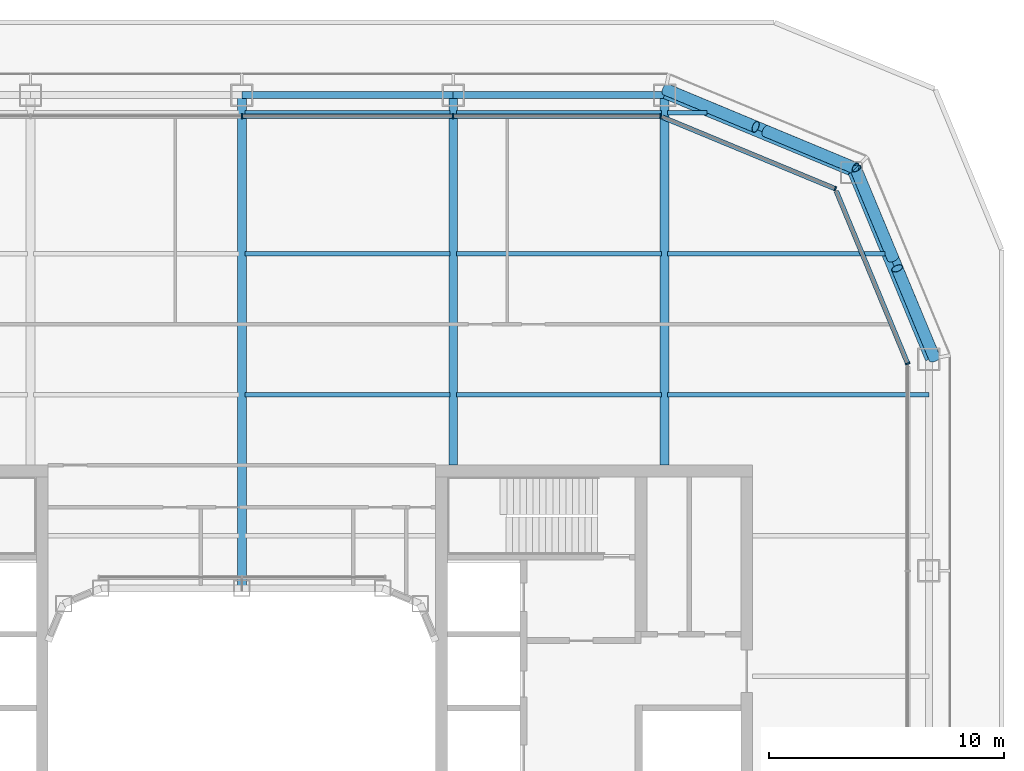
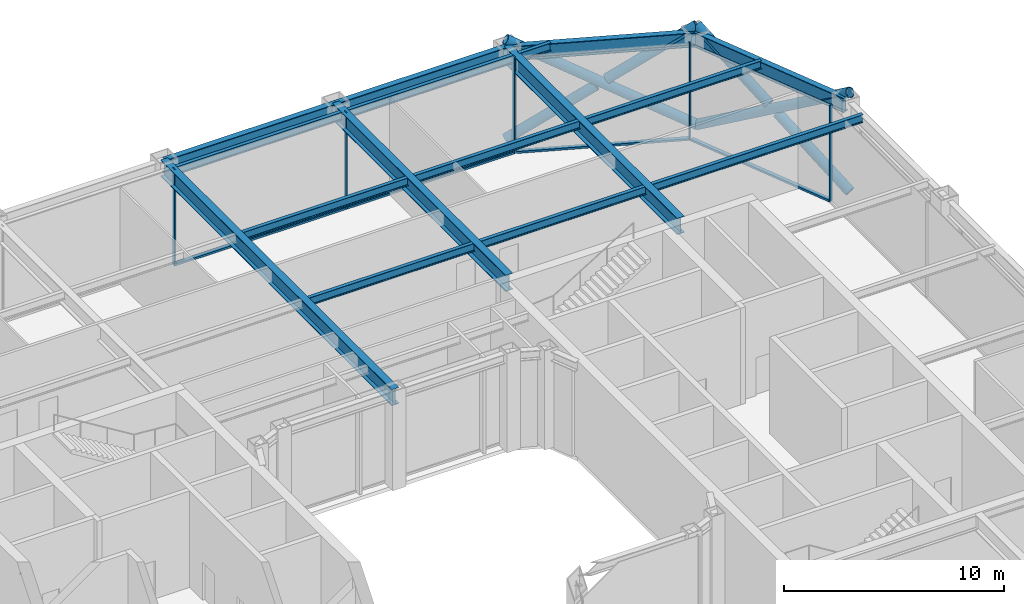
# One storey, part 9 of 21: 16 beams, 15 members, 3 elements without a shape of their own.
"""IFC4 building model written with IfcOpenShell, lengths in metres."""

from ifc_helpers import new_model, si_unit, direction, frame, origin, origin_2d, place, context, subcontext, project, spatial, rectangle, hollow_circle, i_section, extrude, material, layer, layer_set, material_profile, profile_set, type_object, element, aggregate, save


model = new_model("IFC4")

# Units and contexts
model_context = context("Model", 3, precision=1e-05, world=origin(), true_north=direction((0.0, 1.0)))
body_context = subcontext(model_context, "Body", "Model", "MODEL_VIEW")
ifc_project = project(units=[si_unit("LENGTHUNIT", "METRE"), si_unit("AREAUNIT", "SQUARE_METRE"), si_unit("VOLUMEUNIT", "CUBIC_METRE"), si_unit("PLANEANGLEUNIT", "RADIAN"), si_unit("MASSUNIT", "GRAM", prefix="KILO")], contexts=[model_context])

# Site, building, storey
site_placement = place(None, origin())
site = spatial("IfcSite", under=ifc_project, at=site_placement, CompositionType="ELEMENT")
building_placement = place(site_placement, origin())
building = spatial("IfcBuilding", under=site, at=building_placement, Name="Siwar Civic Tower", CompositionType="ELEMENT")
storey_placement = place(building_placement, frame((0.0, 0.0, 99.199951171875)))
storey = spatial("IfcBuildingStorey", under=building, at=storey_placement, Name="L21", CompositionType="ELEMENT", Elevation=99.199951171875)

# Curtain wall, member
ifc_material_1 = material(Name="Aluminium clad insulated panel", Category="aluminium")
ifc_layer_1 = layer(ifc_material_1, 0.199951171875)
ifc_layer_set_1 = layer_set([ifc_layer_1], Name="Aluminium clad insulated panel")
curtain_wall_type_1 = type_object("IfcCurtainWallType", Name="ENV-CW-BX", PredefinedType="NOTDEFINED", material=ifc_layer_set_1)
curtain_wall_1_placement = place(storey_placement, origin())
curtain_wall_1 = element("IfcCurtainWall", 1, at=curtain_wall_1_placement, inside=storey, type_object=curtain_wall_type_1, Name="Curtain wall B NE1", PredefinedType="NOTDEFINED")
ifc_material_2 = material(Name="Aluminium 6063-T6", Category="aluminium")
ifc_material_profile_1 = material_profile(ifc_material_2, rectangle(XDim=0.199951171875, YDim=0.06494140625, at=origin_2d()), Name="AL 200x65")
ifc_profile_set_1 = profile_set([ifc_material_profile_1], Name="Aluminium 6063-T6")
member_type_1 = type_object("IfcMemberType", Name="ENV-MULLION-B", PredefinedType="MULLION", material=ifc_profile_set_1)
member_1_placement = place(storey_placement, frame((28.35009765625, 17.821044921875, 0.0), z_axis=(0.0, 0.0, 1.0), x_axis=(-0.923879532511, -0.382683432365, 0.0)))
member_1 = element("IfcMember", 2, at=member_1_placement, type_object=member_type_1, Name="Mullion B NE1 1", PredefinedType="MULLION", context=body_context, shape_type="SweptSolid", body=[
    extrude(rectangle(XDim=0.199951171875, YDim=0.06494140625, at=origin_2d()), origin(), (0.0, 0.0, 1.0), 5.35009765625),
])

curtain_wall_2_placement = place(storey_placement, origin())
curtain_wall_2 = element("IfcCurtainWall", 3, at=curtain_wall_2_placement, inside=storey, type_object=curtain_wall_type_1, Name="Curtain wall B NE2", PredefinedType="NOTDEFINED")
member_2_placement = place(storey_placement, frame((25.26611328125, 25.26611328125, 0.0), z_axis=(0.0, 0.0, 1.0), x_axis=(-0.382683432365, -0.923879532511, 0.0)))
member_2 = element("IfcMember", 4, at=member_2_placement, type_object=member_type_1, Name="Mullion B NE2 1", PredefinedType="MULLION", context=body_context, shape_type="SweptSolid", body=[
    extrude(rectangle(XDim=0.199951171875, YDim=0.06494140625, at=origin_2d()), origin(), (0.0, 0.0, 1.0), 5.35009765625),
])

# Curtain wall, members
ifc_material_3 = material(Name="Aluminium and glass", Category="aluminium")
ifc_layer_2 = layer(ifc_material_3, 0.199951171875)
ifc_layer_set_2 = layer_set([ifc_layer_2], Name="Aluminium and glass")
curtain_wall_type_2 = type_object("IfcCurtainWallType", Name="ENV-CW-B", PredefinedType="NOTDEFINED", material=ifc_layer_set_2)
curtain_wall_3_placement = place(storey_placement, origin())
curtain_wall_3 = element("IfcCurtainWall", 5, at=curtain_wall_3_placement, inside=storey, type_object=curtain_wall_type_2, Name="Curtain wall B N", PredefinedType="NOTDEFINED")
member_3_placement = place(storey_placement, frame((17.821044921875, 28.35009765625, 0.0), z_axis=(0.0, 0.0, 1.0), x_axis=(0.0, -1.0, 0.0)))
member_3 = element("IfcMember", 6, at=member_3_placement, type_object=member_type_1, Name="Mullion B N 1", PredefinedType="MULLION", context=body_context, shape_type="SweptSolid", body=[
    extrude(rectangle(XDim=0.199951171875, YDim=0.06494140625, at=origin_2d()), origin(), (0.0, 0.0, 1.0), 5.35009765625),
])
member_4_placement = place(storey_placement, frame((9.0, 28.35009765625, 0.0), z_axis=(0.0, 0.0, 1.0), x_axis=(0.0, -1.0, 0.0)))
member_4 = element("IfcMember", 7, at=member_4_placement, type_object=member_type_1, Name="Mullion B N 2", PredefinedType="MULLION", context=body_context, shape_type="SweptSolid", body=[
    extrude(rectangle(XDim=0.199951171875, YDim=0.06494140625, at=origin_2d()), origin(), (0.0, 0.0, 1.0), 5.35009765625),
])
member_5_placement = place(storey_placement, frame((0.0, 28.35009765625, 0.0), z_axis=(0.0, 0.0, 1.0), x_axis=(0.0, -1.0, 0.0)))
member_5 = element("IfcMember", 8, at=member_5_placement, type_object=member_type_1, Name="Mullion B N 3", PredefinedType="MULLION", context=body_context, shape_type="SweptSolid", body=[
    extrude(rectangle(XDim=0.199951171875, YDim=0.06494140625, at=origin_2d()), origin(), (0.0, 0.0, 1.0), 5.35009765625),
])

# Member
ifc_material_4 = material(Name="Aluminium 6063-T6", Category="aluminium")
ifc_material_profile_2 = material_profile(ifc_material_4, rectangle(XDim=0.199951171875, YDim=0.110107421875, at=origin_2d()), Name="AL 200x110")
ifc_profile_set_2 = profile_set([ifc_material_profile_2], Name="Aluminium 6063-T6")
member_type_2 = type_object("IfcMemberType", Name="ENV-TRANSOM-B", PredefinedType="USERDEFINED", material=ifc_profile_set_2)
member_6_placement = place(storey_placement, frame((28.337646484375, 17.85107421875, 0.054931640625), z_axis=(-0.382699695651, 0.92387279587, 0.0), x_axis=(-0.92387279587, -0.382699695651, 0.0)))
member_6 = element("IfcMember", 9, at=member_6_placement, type_object=member_type_2, Name="Transom B NE1 1", ObjectType="TRANSOM", PredefinedType="USERDEFINED", context=body_context, shape_type="SweptSolid", body=[
    extrude(rectangle(XDim=0.199951171875, YDim=0.110107421875, at=origin_2d()), origin(), (0.0, 0.0, 1.0), 7.912353515625),
])

aggregate(curtain_wall_1, [member_1, member_6])

member_7_placement = place(storey_placement, frame((25.236083984375, 25.278564453125, 0.054931640625), z_axis=(-0.923883705044, 0.382673358825, 0.0), x_axis=(-0.382673358825, -0.923883705044, 0.0)))
member_7 = element("IfcMember", 10, at=member_7_placement, type_object=member_type_2, Name="Transom B NE2 1", ObjectType="TRANSOM", PredefinedType="USERDEFINED", context=body_context, shape_type="SweptSolid", body=[
    extrude(rectangle(XDim=0.199951171875, YDim=0.110107421875, at=origin_2d()), origin(), (0.0, 0.0, 1.0), 7.912353515625),
])

aggregate(curtain_wall_2, [member_2, member_7])

member_8_placement = place(storey_placement, frame((17.78857421875, 28.35009765625, 0.054931640625), z_axis=(-1.0, 0.0, 0.0), x_axis=(0.0, -1.0, 0.0)))
member_8 = element("IfcMember", 11, at=member_8_placement, type_object=member_type_2, Name="Transom B N 1", ObjectType="TRANSOM", PredefinedType="USERDEFINED", context=body_context, shape_type="SweptSolid", body=[
    extrude(rectangle(XDim=0.199951171875, YDim=0.110107421875, at=origin_2d()), origin(), (0.0, 0.0, 1.0), 8.756103515625),
])

member_9_placement = place(storey_placement, frame((8.967529296875, 28.35009765625, 0.054931640625), z_axis=(-1.0, 0.0, 0.0), x_axis=(0.0, -1.0, 0.0)))
member_9 = element("IfcMember", 12, at=member_9_placement, type_object=member_type_2, Name="Transom B N 2", ObjectType="TRANSOM", PredefinedType="USERDEFINED", context=body_context, shape_type="SweptSolid", body=[
    extrude(rectangle(XDim=0.199951171875, YDim=0.110107421875, at=origin_2d()), origin(), (0.0, 0.0, 1.0), 8.93505859375),
])

aggregate(curtain_wall_3, [member_3, member_4, member_5, member_8, member_9])

# Members
ifc_material_5 = material(Name="Steel S355", Category="steel")
ifc_material_profile_3 = material_profile(ifc_material_5, hollow_circle(Radius=0.25390625, WallThickness=0.02490234375, at=origin_2d()), Name="CHS508x25")
ifc_profile_set_3 = profile_set([ifc_material_profile_3], Name="Steel S355")
member_type_3 = type_object("IfcMemberType", Name="STR-BR-CHS508x25", PredefinedType="BRACE", material=ifc_profile_set_3)
member_10_placement = place(storey_placement, frame((26.1318359375, 26.1318359375, 0.0), z_axis=(-0.781791416726, 0.325297769627, 0.531961974025), x_axis=(-0.384163874976, -0.923264922524, 0.0)))
element("IfcMember", 13, at=member_10_placement, inside=storey, type_object=member_type_3, Name="L21/brc/BNE1-0-0-1", PredefinedType="BRACE", context=body_context, shape_type="SweptSolid", body=[
    extrude(hollow_circle(Radius=0.25390625, WallThickness=0.02490234375, at=origin_2d()), origin(), (0.0, 0.0, 1.0), 10.339111328125),
])
for number, where, z_axis, x_axis, name in (
    (14, (18.048828125, 29.4951171875, 0.0), (0.781779058125, -0.325296334966, 0.53198101351), (0.384167607428, 0.923263369469, 0.0), "L21/brc/BNE1-0-0-2"),
    (15, (22.306640625, 27.723388671875, 2.8974609375), (0.781819210705, -0.32529227946, 0.531924482136), (0.38414670655, 0.923272065995, 0.0), "L21/brc/BNE1-0-0-3"),
):
    element("IfcMember", number, at=place(storey_placement, frame(where, z_axis=z_axis, x_axis=x_axis)), inside=storey, type_object=member_type_3, Name=name, PredefinedType="BRACE", context=body_context, shape_type="SweptSolid", body=[
        extrude(hollow_circle(Radius=0.25390625, WallThickness=0.02490234375, at=origin_2d()), origin(), (0.0, 0.0, 1.0), 4.892578125),
    ])
member_11_placement = place(storey_placement, frame((26.1318359375, 26.1318359375, 0.0), z_axis=(0.325297769627, -0.781791416726, 0.531961974025), x_axis=(0.923264922524, 0.384163874976, 0.0)))
element("IfcMember", 16, at=member_11_placement, inside=storey, type_object=member_type_3, Name="L21/brc/BNE1-0-0-0", PredefinedType="BRACE", context=body_context, shape_type="SweptSolid", body=[
    extrude(hollow_circle(Radius=0.25390625, WallThickness=0.02490234375, at=origin_2d()), origin(), (0.0, 0.0, 1.0), 10.339111328125),
])
for number, where, z_axis, x_axis, name in (
    (17, (29.4951171875, 18.048828125, 0.0), (-0.325296334966, 0.781779058125, 0.53198101351), (-0.923263369469, -0.384167607428, 0.0), "L21/brc/BNE1-0-0-4"),
    (18, (27.723388671875, 22.306640625, 2.8974609375), (-0.32529227946, 0.781819210705, 0.531924482136), (-0.923272065995, -0.38414670655, 0.0), "L21/brc/BNE1-0-0-5"),
):
    element("IfcMember", number, at=place(storey_placement, frame(where, z_axis=z_axis, x_axis=x_axis)), inside=storey, type_object=member_type_3, Name=name, PredefinedType="BRACE", context=body_context, shape_type="SweptSolid", body=[
        extrude(hollow_circle(Radius=0.25390625, WallThickness=0.02490234375, at=origin_2d()), origin(), (0.0, 0.0, 1.0), 4.892578125),
    ])

# Beams
ifc_material_6 = material(Name="Steel S355", Category="steel")
ifc_material_profile_4 = material_profile(ifc_material_6, i_section(OverallWidth=0.18994140625, OverallDepth=0.449951171875, WebThickness=0.009521484375, FlangeThickness=0.0146484375, FilletRadius=0.02099609375, at=origin_2d()), Name="IPE450")
ifc_profile_set_4 = profile_set([ifc_material_profile_4], Name="Steel S355")
beam_type_1 = type_object("IfcBeamType", Name="STR-FB-IPE450", PredefinedType="JOIST", material=ifc_profile_set_4)
for number, where, z_axis, x_axis, name in (
    (19, (0.1298828125, 16.5, 5.125), (1.0, 0.0, 0.0), (0.0, 1.0, 0.0), "L21/bm/F034"),
    (20, (9.1298828125, 16.5, 5.125), (1.0, 0.0, 0.0), (0.0, 1.0, 0.0), "L21/bm/F035"),
):
    element("IfcBeam", number, at=place(storey_placement, frame(where, z_axis=z_axis, x_axis=x_axis)), inside=storey, type_object=beam_type_1, Name=name, PredefinedType="JOIST", context=body_context, shape_type="SweptSolid", body=[
        extrude(i_section(OverallWidth=0.18994140625, OverallDepth=0.449951171875, WebThickness=0.009521484375, FlangeThickness=0.0146484375, FilletRadius=0.02099609375, at=origin_2d()), origin(), (0.0, 0.0, 1.0), 8.740234375),
    ])
beam_1_placement = place(storey_placement, frame((18.1298828125, 16.5, 5.125), z_axis=(1.0, 0.0, 0.0), x_axis=(0.0, 1.0, 0.0)))
element("IfcBeam", 21, at=beam_1_placement, inside=storey, type_object=beam_type_1, Name="L21/bm/F036", PredefinedType="JOIST", context=body_context, shape_type="SweptSolid", body=[
    extrude(i_section(OverallWidth=0.18994140625, OverallDepth=0.449951171875, WebThickness=0.009521484375, FlangeThickness=0.0146484375, FilletRadius=0.02099609375, at=origin_2d()), origin(), (0.0, 0.0, 1.0), 11.1201171875),
])
for number, where, z_axis, x_axis, name in (
    (22, (0.1298828125, 22.5, 5.125), (1.0, 0.0, 0.0), (0.0, 1.0, 0.0), "L21/bm/F040"),
    (23, (9.1298828125, 22.5, 5.125), (1.0, 0.0, 0.0), (0.0, 1.0, 0.0), "L21/bm/F041"),
):
    element("IfcBeam", number, at=place(storey_placement, frame(where, z_axis=z_axis, x_axis=x_axis)), inside=storey, type_object=beam_type_1, Name=name, PredefinedType="JOIST", context=body_context, shape_type="SweptSolid", body=[
        extrude(i_section(OverallWidth=0.18994140625, OverallDepth=0.449951171875, WebThickness=0.009521484375, FlangeThickness=0.0146484375, FilletRadius=0.02099609375, at=origin_2d()), origin(), (0.0, 0.0, 1.0), 8.740234375),
    ])
beam_2_placement = place(storey_placement, frame((18.1298828125, 22.5, 5.125), z_axis=(1.0, 0.0, 0.0), x_axis=(0.0, 1.0, 0.0)))
element("IfcBeam", 24, at=beam_2_placement, inside=storey, type_object=beam_type_1, Name="L21/bm/F042", PredefinedType="JOIST", context=body_context, shape_type="SweptSolid", body=[
    extrude(i_section(OverallWidth=0.18994140625, OverallDepth=0.449951171875, WebThickness=0.009521484375, FlangeThickness=0.0146484375, FilletRadius=0.02099609375, at=origin_2d()), origin(), (0.0, 0.0, 1.0), 9.256103515625),
])
for number, where, z_axis, x_axis, name in (
    (25, (0.1298828125, 28.5, 5.125), (1.0, 0.0, 0.0), (0.0, 1.0, 0.0), "L21/bm/F046"),
    (26, (9.1298828125, 28.5, 5.125), (1.0, 0.0, 0.0), (0.0, 1.0, 0.0), "L21/bm/F047"),
):
    element("IfcBeam", number, at=place(storey_placement, frame(where, z_axis=z_axis, x_axis=x_axis)), inside=storey, type_object=beam_type_1, Name=name, PredefinedType="JOIST", context=body_context, shape_type="SweptSolid", body=[
        extrude(i_section(OverallWidth=0.18994140625, OverallDepth=0.449951171875, WebThickness=0.009521484375, FlangeThickness=0.0146484375, FilletRadius=0.02099609375, at=origin_2d()), origin(), (0.0, 0.0, 1.0), 8.740234375),
    ])
beam_3_placement = place(storey_placement, frame((18.1298828125, 28.5, 5.125), z_axis=(1.0, 0.0, 0.0), x_axis=(0.0, 1.0, 0.0)))
element("IfcBeam", 27, at=beam_3_placement, inside=storey, type_object=beam_type_1, Name="L21/bm/F048", PredefinedType="JOIST", context=body_context, shape_type="SweptSolid", body=[
    extrude(i_section(OverallWidth=0.18994140625, OverallDepth=0.449951171875, WebThickness=0.009521484375, FlangeThickness=0.0146484375, FilletRadius=0.02099609375, at=origin_2d()), origin(), (0.0, 0.0, 1.0), 1.6806640625),
])
ifc_material_7 = material(Name="Steel S355", Category="steel")
ifc_material_profile_5 = material_profile(ifc_material_7, i_section(OverallWidth=0.3798828125, OverallDepth=0.89990234375, WebThickness=0.01611328125, FlangeThickness=0.035888671875, at=origin_2d()), Name="PG900x380x16x36")
ifc_profile_set_5 = profile_set([ifc_material_profile_5], Name="Steel S355")
beam_type_2 = type_object("IfcBeamType", Name="STR-PG-PG900x380x16x36", PredefinedType="BEAM", material=ifc_profile_set_5)
beam_4_placement = place(storey_placement, frame((0.0, 8.25, 4.900146484375), z_axis=(0.0, 1.0, 0.0), x_axis=(-1.0, 0.0, 0.0)))
element("IfcBeam", 28, at=beam_4_placement, inside=storey, type_object=beam_type_2, Name="L21/bm/G06", PredefinedType="BEAM", context=body_context, shape_type="SweptSolid", body=[
    extrude(i_section(OverallWidth=0.3798828125, OverallDepth=0.89990234375, WebThickness=0.01611328125, FlangeThickness=0.035888671875, at=origin_2d()), origin(), (0.0, 0.0, 1.0), 21.0),
])
for number, where, z_axis, x_axis, name in (
    (29, (9.0, 13.5, 4.900146484375), (0.0, 1.0, 0.0), (-1.0, 0.0, 0.0), "L21/bm/G08"),
    (30, (18.0, 13.5, 4.900146484375), (0.0, 1.0, 0.0), (-1.0, 0.0, 0.0), "L21/bm/G10"),
):
    element("IfcBeam", number, at=place(storey_placement, frame(where, z_axis=z_axis, x_axis=x_axis)), inside=storey, type_object=beam_type_2, Name=name, PredefinedType="BEAM", context=body_context, shape_type="SweptSolid", body=[
        extrude(i_section(OverallWidth=0.3798828125, OverallDepth=0.89990234375, WebThickness=0.01611328125, FlangeThickness=0.035888671875, at=origin_2d()), origin(), (0.0, 0.0, 1.0), 15.75),
    ])
ifc_material_8 = material(Name="Steel S355", Category="steel")
ifc_material_profile_6 = material_profile(ifc_material_8, i_section(OverallWidth=0.300048828125, OverallDepth=0.800048828125, WebThickness=0.017578125, FlangeThickness=0.032958984375, FilletRadius=0.030029296875, at=origin_2d()), Name="HEB800")
ifc_profile_set_6 = profile_set([ifc_material_profile_6], Name="Steel S355")
beam_type_3 = type_object("IfcBeamType", Name="STR-SB-HEB800", PredefinedType="BEAM", material=ifc_profile_set_6)
for number, where, z_axis, x_axis, name in (
    (31, (29.25, 18.0, 4.949951171875), (-0.382699877515, 0.923872720536, 0.0), (-0.923872720536, -0.382699877515, 0.0), "L21/bm/SNE1-0"),
    (32, (25.954833984375, 25.954833984375, 4.949951171875), (-0.923872720536, 0.382699877515, 0.0), (-0.382699877515, -0.923872720536, 0.0), "L21/bm/SNE2-0"),
):
    element("IfcBeam", number, at=place(storey_placement, frame(where, z_axis=z_axis, x_axis=x_axis)), inside=storey, type_object=beam_type_3, Name=name, PredefinedType="BEAM", context=body_context, shape_type="SweptSolid", body=[
        extrude(i_section(OverallWidth=0.300048828125, OverallDepth=0.800048828125, WebThickness=0.017578125, FlangeThickness=0.032958984375, FilletRadius=0.030029296875, at=origin_2d()), origin(), (0.0, 0.0, 1.0), 8.6103515625),
    ])
for number, where, z_axis, x_axis, name in (
    (33, (18.0, 29.25, 4.949951171875), (-1.0, 0.0, 0.0), (0.0, -1.0, 0.0), "L21/bm/SN-0"),
    (34, (9.0, 29.25, 4.949951171875), (-1.0, 0.0, 0.0), (0.0, -1.0, 0.0), "L21/bm/SN-1"),
):
    element("IfcBeam", number, at=place(storey_placement, frame(where, z_axis=z_axis, x_axis=x_axis)), inside=storey, type_object=beam_type_3, Name=name, PredefinedType="BEAM", context=body_context, shape_type="SweptSolid", body=[
        extrude(i_section(OverallWidth=0.300048828125, OverallDepth=0.800048828125, WebThickness=0.017578125, FlangeThickness=0.032958984375, FilletRadius=0.030029296875, at=origin_2d()), origin(), (0.0, 0.0, 1.0), 9.0),
    ])

save(model, "model.ifc")
